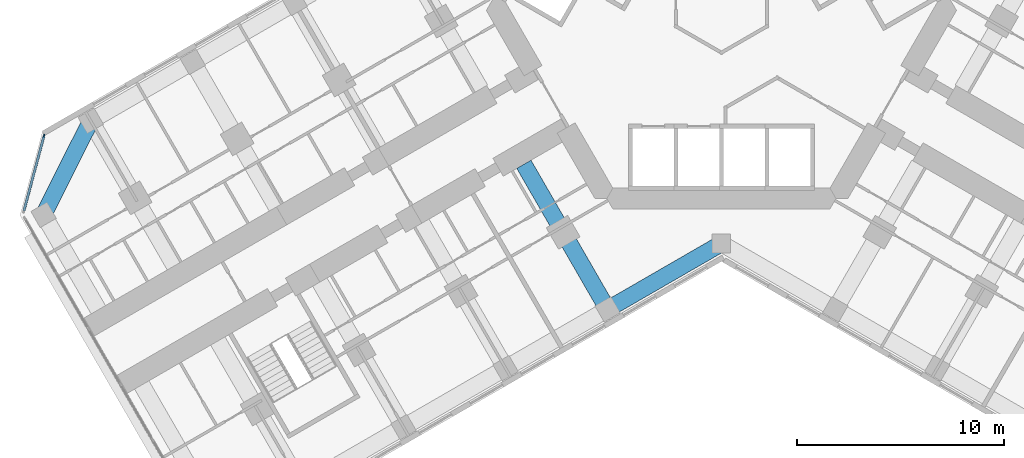
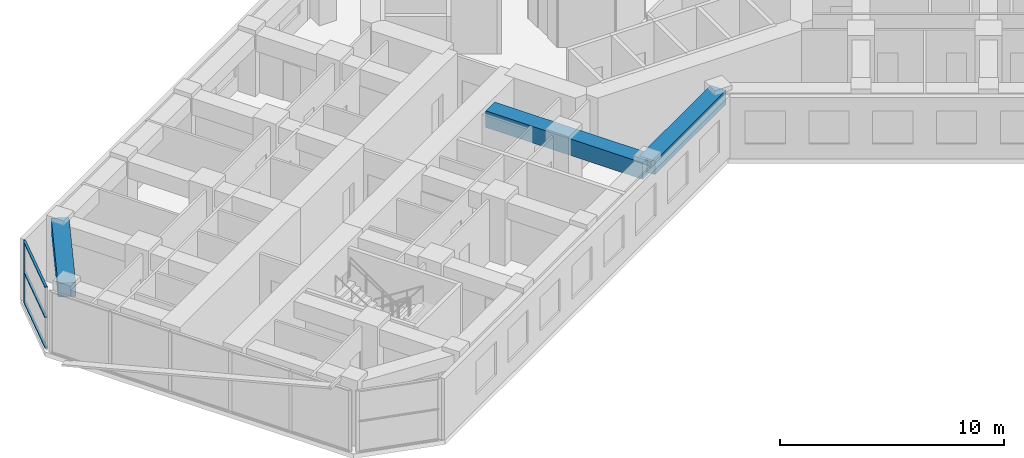
# One storey, part 3 of 21: 4 members, 3 beams, 1 element without a shape of its own.
"""IFC4 building model written with IfcOpenShell, lengths in metres."""

from ifc_helpers import new_model, si_unit, direction, frame, origin, origin_2d, place, context, subcontext, project, spatial, rectangle, extrude, material, material_profile, profile_set, type_object, element, aggregate, save


model = new_model("IFC4")

# Units and contexts
model_context = context("Model", 3, precision=1e-05, world=origin(), true_north=direction((0.0, 1.0)))
body_context = subcontext(model_context, "Body", "Model", "MODEL_VIEW")
ifc_project = project(units=[si_unit("LENGTHUNIT", "METRE"), si_unit("AREAUNIT", "SQUARE_METRE"), si_unit("VOLUMEUNIT", "CUBIC_METRE"), si_unit("PLANEANGLEUNIT", "RADIAN"), si_unit("MASSUNIT", "GRAM", prefix="KILO")], contexts=[model_context])

# Site, building, storey
site_placement = place(None, origin())
site = spatial("IfcSite", under=ifc_project, at=site_placement, CompositionType="ELEMENT")
building_placement = place(site_placement, origin())
building = spatial("IfcBuilding", under=site, at=building_placement, Name="Kosmar Iwan School Tower", CompositionType="ELEMENT")
storey_placement = place(building_placement, frame((0.0, 0.0, 98.800048828125)))
storey = spatial("IfcBuildingStorey", under=building, at=storey_placement, Name="L24", CompositionType="ELEMENT", Elevation=98.800048828125)

# Curtain wall, member
ifc_material_1 = material(Name="Dark glass in black aluminium frame", Category="aluminium")
curtain_wall_type = type_object("IfcCurtainWallType", Name="Chamfer curtain wall dark glass", PredefinedType="USERDEFINED", material=ifc_material_1)
curtain_wall_placement = place(storey_placement, origin())
curtain_wall = element("IfcCurtainWall", 1, at=curtain_wall_placement, inside=storey, type_object=curtain_wall_type, Name="Curtain wall L24-F12", ObjectType="FACETED CURTAIN WALL", PredefinedType="USERDEFINED")
ifc_material_2 = material(Name="Black anodised aluminium", Category="aluminium")
ifc_material_profile_1 = material_profile(ifc_material_2, rectangle(XDim=0.06005859375, YDim=0.159912109375, at=origin_2d()), Name="MULLION 60x160")
ifc_profile_set_1 = profile_set([ifc_material_profile_1], Name="Black anodised aluminium")
member_type_1 = type_object("IfcMemberType", Name="Mullion 60x160", PredefinedType="MULLION", material=ifc_profile_set_1)
member_1_placement = place(storey_placement, frame((-32.78076171875, -6.5732421875, 0.0), z_axis=(0.0, 0.0, 1.0), x_axis=(0.965925875495, -0.258818861462, 0.0)))
member_1 = element("IfcMember", 2, at=member_1_placement, type_object=member_type_1, Name="CW2 mullion 1", PredefinedType="MULLION", context=body_context, shape_type="SweptSolid", body=[
    extrude(rectangle(XDim=0.06005859375, YDim=0.159912109375, at=origin_2d()), origin(), (0.0, 0.0, 1.0), 3.349853515625),
])

# Beams
ifc_material_3 = material(Name="Concrete C50/60", Category="concrete")
ifc_material_profile_2 = material_profile(ifc_material_3, rectangle(XDim=0.800048828125, YDim=0.75, at=origin_2d()), Name="RC 800x750")
ifc_profile_set_2 = profile_set([ifc_material_profile_2], Name="Concrete C50/60")
beam_type_1 = type_object("IfcBeamType", Name="RC edge beam 800x750", PredefinedType="BEAM", material=ifc_profile_set_2)
beam_1_placement = place(storey_placement, frame((0.0, -11.77783203125, 2.974853515625), z_axis=(-0.866014293216, -0.500019243575, 0.0), x_axis=(0.500019243575, -0.866014293216, 0.0)))
element("IfcBeam", 3, at=beam_1_placement, inside=storey, type_object=beam_type_1, Name="Edge beam BL1", PredefinedType="BEAM", context=body_context, shape_type="SweptSolid", body=[
    extrude(rectangle(XDim=0.800048828125, YDim=0.75, at=origin_2d()), origin(), (0.0, 0.0, 1.0), 6.361083984375),
])
ifc_material_4 = material(Name="Concrete C50/60", Category="concrete")
ifc_material_profile_3 = material_profile(ifc_material_4, rectangle(XDim=0.800048828125, YDim=0.75, at=origin_2d()), Name="RC 800x750")
ifc_profile_set_3 = profile_set([ifc_material_profile_3], Name="Concrete C50/60")
beam_type_2 = type_object("IfcBeamType", Name="RC tip beam 800x750", PredefinedType="BEAM", material=ifc_profile_set_3)
beam_2_placement = place(storey_placement, frame((-30.517822265625, -5.841552734375, 2.974853515625), z_axis=(-0.44809604203, -0.893985423325, 0.0), x_axis=(0.893985423325, -0.44809604203, 0.0)))
element("IfcBeam", 4, at=beam_2_placement, inside=storey, type_object=beam_type_2, Name="Tip beam BR", PredefinedType="BEAM", context=body_context, shape_type="SweptSolid", body=[
    extrude(rectangle(XDim=0.800048828125, YDim=0.75, at=origin_2d()), origin(), (0.0, 0.0, 1.0), 5.08935546875),
])
ifc_material_5 = material(Name="Concrete C50/60", Category="concrete")
ifc_material_profile_4 = material_profile(ifc_material_5, rectangle(XDim=0.800048828125, YDim=0.89990234375, at=origin_2d()), Name="RC 800x900")
ifc_profile_set_4 = profile_set([ifc_material_profile_4], Name="Concrete C50/60")
beam_type_3 = type_object("IfcBeamType", Name="RC transverse beam 800x900", PredefinedType="BEAM", material=ifc_profile_set_4)
beam_3_placement = place(storey_placement, frame((-5.5087890625, -14.95849609375, 2.89990234375), z_axis=(-0.499999880539, 0.866025472755, 0.0), x_axis=(-0.866025472755, -0.499999880539, 0.0)))
element("IfcBeam", 5, at=beam_3_placement, inside=storey, type_object=beam_type_3, Name="Transverse beam BL1", PredefinedType="BEAM", context=body_context, shape_type="SweptSolid", body=[
    extrude(rectangle(XDim=0.800048828125, YDim=0.89990234375, at=origin_2d()), origin(), (0.0, 0.0, 1.0), 8.10009765625),
])

# Member
ifc_material_6 = material(Name="Black anodised aluminium", Category="aluminium")
ifc_material_profile_5 = material_profile(ifc_material_6, rectangle(XDim=0.1201171875, YDim=0.06005859375, at=origin_2d()), Name="TRANSOM 60x120")
ifc_profile_set_5 = profile_set([ifc_material_profile_5], Name="Black anodised aluminium")
member_type_2 = type_object("IfcMemberType", Name="Transom 60x120", PredefinedType="USERDEFINED", material=ifc_profile_set_5)
member_2_placement = place(storey_placement, frame((-32.788330078125, -6.602294921875, 0.030029296875), z_axis=(-0.258843273983, -0.965919333854, 0.0), x_axis=(0.965919333854, -0.258843273983, 0.0)))
member_2 = element("IfcMember", 6, at=member_2_placement, type_object=member_type_2, Name="CW2 transom 1.1", ObjectType="TRANSOM", PredefinedType="USERDEFINED", context=body_context, shape_type="SweptSolid", body=[
    extrude(rectangle(XDim=0.1201171875, YDim=0.06005859375, at=origin_2d()), origin(), (0.0, 0.0, 1.0), 3.718994140625),
])

member_3_placement = place(storey_placement, frame((-32.788330078125, -6.602294921875, 1.675048828125), z_axis=(-0.258843273983, -0.965919333854, 0.0), x_axis=(0.965919333854, -0.258843273983, 0.0)))
member_3 = element("IfcMember", 7, at=member_3_placement, type_object=member_type_2, Name="CW2 transom 1.2", ObjectType="TRANSOM", PredefinedType="USERDEFINED", context=body_context, shape_type="SweptSolid", body=[
    extrude(rectangle(XDim=0.1201171875, YDim=0.06005859375, at=origin_2d()), origin(), (0.0, 0.0, 1.0), 3.718994140625),
])

member_4_placement = place(storey_placement, frame((-32.788330078125, -6.602294921875, 3.320068359375), z_axis=(-0.258843273983, -0.965919333854, 0.0), x_axis=(0.965919333854, -0.258843273983, 0.0)))
member_4 = element("IfcMember", 8, at=member_4_placement, type_object=member_type_2, Name="CW2 transom 1.3", ObjectType="TRANSOM", PredefinedType="USERDEFINED", context=body_context, shape_type="SweptSolid", body=[
    extrude(rectangle(XDim=0.1201171875, YDim=0.06005859375, at=origin_2d()), origin(), (0.0, 0.0, 1.0), 3.718994140625),
])

aggregate(curtain_wall, [member_1, member_2, member_3, member_4])

save(model, "model.ifc")
